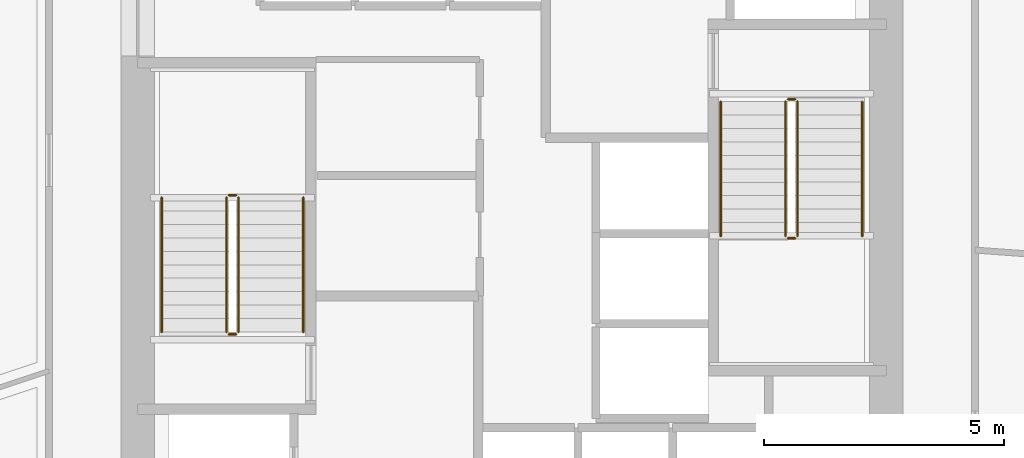
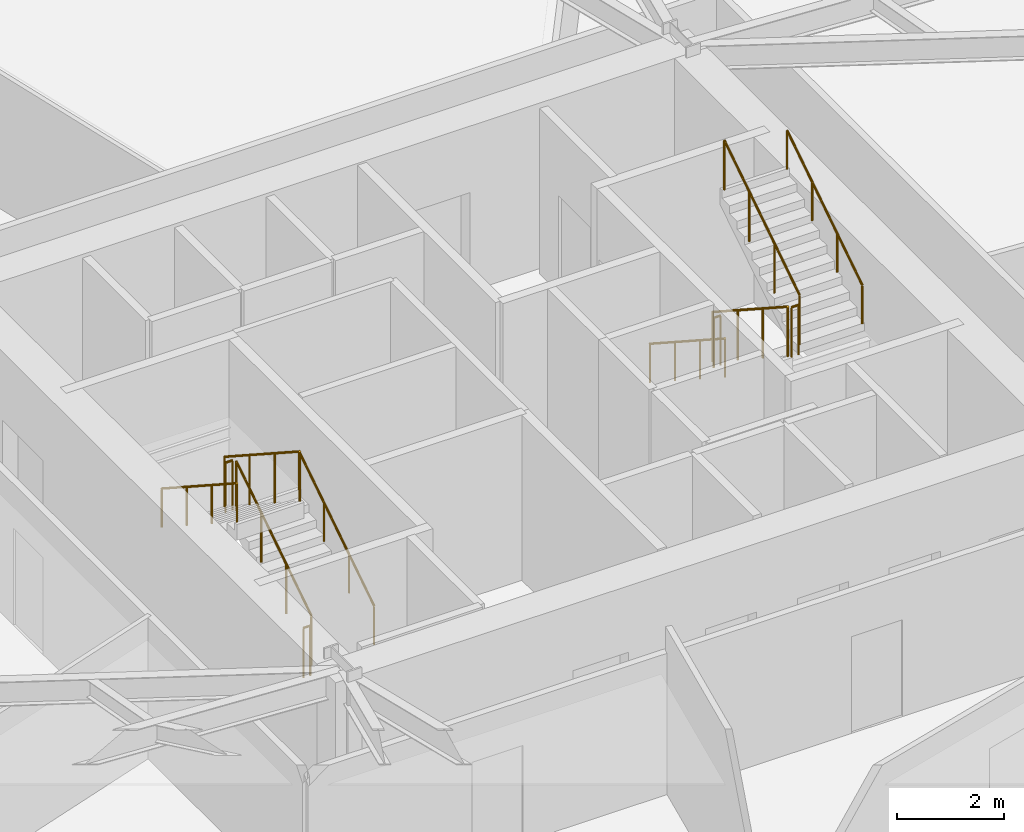
# One storey, part 9 of 10: 12 railings.
"""IFC4 building model written with IfcOpenShell, lengths in metres."""

import ifcopenshell
import ifcopenshell.guid

model = None  # the IFC model being written
_history = None  # IfcOwnerHistory: only IFC2X3 demands one
_inside = {}  # id of a spatial element -> (the spatial element, [elements in it])
_under = {}  # id of a project, library or spatial element -> (it, [spatial elements below it])
_declared = {}  # id of a project -> (the project, [libraries it declares])
_typed = {}  # id of a type object -> (the type object, [elements of that type])
_made_of = {}  # id of a material, layer set ... -> (it, [elements and type objects made of it])


def new_model(schema):
    """Start an empty IFC model of exactly this schema.

    Asked for "IFC4X3", IfcOpenShell would pick the latest addendum, in which some entities
    have other attributes; the version numbers below select the first issue.
    IFC2X3 requires an IfcOwnerHistory on every rooted entity: one is made here for all.
    """
    global model, _history
    if schema == "IFC4X3":
        model = ifcopenshell.file(schema_version=(4, 3, 0, 0))
    else:
        model = ifcopenshell.file(schema=schema)
    _inside.clear()
    _under.clear()
    _declared.clear()
    _typed.clear()
    _made_of.clear()
    _history = None
    if model.schema == "IFC2X3":
        org = make("IfcOrganization", Name="unknown")
        user = make(
            "IfcPersonAndOrganization",
            ThePerson=make("IfcPerson", FamilyName="unknown"),
            TheOrganization=org,
        )
        app = make(
            "IfcApplication",
            ApplicationDeveloper=org,
            Version="unknown",
            ApplicationFullName="unknown",
            ApplicationIdentifier="unknown",
        )
        _history = make(
            "IfcOwnerHistory",
            OwningUser=user,
            OwningApplication=app,
            ChangeAction="ADDED",
            CreationDate=0,
        )
    return model


def make(cls, **values):
    """One entity of the class cls with the attributes given. An attribute that is None is left unset."""
    return model.create_entity(
        cls, **{name: value for name, value in values.items() if value is not None}
    )


def rooted(cls, **values):
    """An entity with a GlobalId (a new one), such as an element, a storey or a relation."""
    return make(cls, GlobalId=ifcopenshell.guid.new(), OwnerHistory=_history, **values)


def si_unit(unit_type, name, prefix=None):
    """IfcSIUnit, for example si_unit("LENGTHUNIT", "METRE", prefix="MILLI")."""
    return make("IfcSIUnit", UnitType=unit_type, Prefix=prefix, Name=name)


def assignment(units):
    """IfcUnitAssignment: the units of a project."""
    return None if units is None else make("IfcUnitAssignment", Units=units)


def point(xyz):
    """IfcCartesianPoint."""
    return None if xyz is None else make("IfcCartesianPoint", Coordinates=xyz)


def direction(xyz):
    """IfcDirection."""
    return None if xyz is None else make("IfcDirection", DirectionRatios=xyz)


def frame(location, z_axis=None, x_axis=None):
    """IfcAxis2Placement3D, a coordinate frame: its origin and axes. An axis left out is left unset."""
    return make(
        "IfcAxis2Placement3D",
        Location=point(location),
        Axis=direction(z_axis),
        RefDirection=direction(x_axis),
    )


def frame_2d(location, x_axis=None):
    """IfcAxis2Placement2D, a coordinate frame in the plane: its origin and x axis."""
    return make(
        "IfcAxis2Placement2D", Location=point(location), RefDirection=direction(x_axis)
    )


def origin():
    """The frame at (0, 0, 0) with its axes left unset."""
    return frame((0.0, 0.0, 0.0))


def origin_2d():
    """The frame at (0, 0) in the plane with its x axis left unset."""
    return frame_2d((0.0, 0.0))


def place(relative_to, where):
    """IfcLocalPlacement: puts the frame where relative to a parent placement (None: the world)."""
    return make(
        "IfcLocalPlacement", PlacementRelTo=relative_to, RelativePlacement=where
    )


def context(
    kind, dimensions, precision=None, world=None, true_north=None, identifier=None
):
    """IfcGeometricRepresentationContext, for example the 3D "Model" context."""
    return make(
        "IfcGeometricRepresentationContext",
        ContextIdentifier=identifier,
        ContextType=kind,
        CoordinateSpaceDimension=dimensions,
        Precision=precision,
        WorldCoordinateSystem=world,
        TrueNorth=true_north,
    )


def subcontext(parent, identifier, kind, view, scale=None):
    """IfcGeometricRepresentationSubContext, for example "Body" below "Model"."""
    return make(
        "IfcGeometricRepresentationSubContext",
        ContextIdentifier=identifier,
        ContextType=kind,
        ParentContext=parent,
        TargetScale=scale,
        TargetView=view,
    )


def project(units=None, contexts=None):
    """IfcProject with its units and contexts."""
    return rooted(
        "IfcProject",
        Name="project",
        RepresentationContexts=contexts,
        UnitsInContext=assignment(units),
    )


def spatial(cls, under=None, at=None, **own):
    """A site, building, storey or space (cls), placed at a placement, below another one or the project."""
    s = rooted(cls, ObjectPlacement=at, **own)
    if under is not None:
        _under.setdefault(under.id(), (under, []))[1].append(s)
    return s


def profile(cls, at=None, kind="AREA", **sizes):
    """A parametric profile (cls). Its sizes go by their IFC names, for example OverallWidth=200.0."""
    return make(cls, ProfileType=kind, Position=at, **sizes)


def circle(**sizes):
    """IfcCircleProfileDef."""
    return profile("IfcCircleProfileDef", **sizes)


def extrude(swept, where, along, depth):
    """IfcExtrudedAreaSolid: the profile swept, set in the frame where, extruded along a direction by depth."""
    return make(
        "IfcExtrudedAreaSolid",
        SweptArea=swept,
        Position=where,
        ExtrudedDirection=direction(along),
        Depth=depth,
    )


def shape(context_of_items, identifier, shape_type, items):
    """IfcShapeRepresentation: the items that make up one representation, for example the "Body"."""
    return make(
        "IfcShapeRepresentation",
        ContextOfItems=context_of_items,
        RepresentationIdentifier=identifier,
        RepresentationType=shape_type,
        Items=items,
    )


def material(Name=None, Category=None):
    """IfcMaterial."""
    return make("IfcMaterial", Name=Name, Category=Category)


def made_of(thing, what):
    """Note that an element or type object is made of a material, layer set ...; save() writes the relation."""
    if what is not None:
        _made_of.setdefault(what.id(), (what, []))[1].append(thing)
    return thing


def type_object(cls, material=None, **own):
    """A type object (cls), such as IfcWallType, which elements share."""
    return made_of(rooted(cls, **own), material)


def element(
    cls,
    number,
    at=None,
    inside=None,
    cuts=None,
    type_object=None,
    material=None,
    context=None,
    identifier="Body",
    shape_type=None,
    held_by="IfcProductDefinitionShape",
    body=None,
    shapes=None,
    **own,
):
    """One element of the class cls, such as IfcWall. Its Tag is "e" and its number.

    at: its placement. inside: the storey or other place that contains it. cuts: it is an
    opening in that element (IfcRelVoidsElement). A single representation is given by context,
    identifier, shape_type and body (its items); several are given by shapes. held_by: the class
    of the entity that holds the representations. save() writes the other relations.
    """
    e = rooted(cls, Tag="e%d" % number, ObjectPlacement=at, **own)
    if body is not None:
        shapes = [shape(context, identifier, shape_type, body)]
    if shapes is not None:
        e.Representation = make(held_by, Representations=shapes)
    if inside is not None:
        _inside.setdefault(inside.id(), (inside, []))[1].append(e)
    if cuts is not None:
        rooted(
            "IfcRelVoidsElement", RelatingBuildingElement=cuts, RelatedOpeningElement=e
        )
    if type_object is not None:
        _typed.setdefault(type_object.id(), (type_object, []))[1].append(e)
    return made_of(e, material)


def aggregate(whole, parts):
    """IfcRelAggregates: a whole, such as a stair, and the parts it consists of."""
    return rooted("IfcRelAggregates", RelatingObject=whole, RelatedObjects=parts)


def save(model, path):
    """Write the relations noted so far, then the file.

    IfcRelAggregates (storeys below a building ...), IfcRelContainedInSpatialStructure (elements
    in a storey), IfcRelDefinesByType, IfcRelAssociatesMaterial and IfcRelDeclares: one each for
    every whole, place, type object, material and project.
    """
    for whole, parts in _under.values():
        aggregate(whole, parts)
    for where, things in _inside.values():
        rooted(
            "IfcRelContainedInSpatialStructure",
            RelatedElements=things,
            RelatingStructure=where,
        )
    for kind, things in _typed.values():
        rooted("IfcRelDefinesByType", RelatedObjects=things, RelatingType=kind)
    for what, things in _made_of.values():
        rooted("IfcRelAssociatesMaterial", RelatedObjects=things, RelatingMaterial=what)
    for by, libraries in _declared.values():
        rooted("IfcRelDeclares", RelatingContext=by, RelatedDefinitions=libraries)
    model.write(path)


model = new_model("IFC4")

# Units and contexts
model_context = context("Model", 3, precision=1e-05, world=origin(), true_north=direction((0.0, 1.0)))
body_context = subcontext(model_context, "Body", "Model", "MODEL_VIEW")
ifc_project = project(units=[si_unit("LENGTHUNIT", "METRE"), si_unit("AREAUNIT", "SQUARE_METRE"), si_unit("VOLUMEUNIT", "CUBIC_METRE"), si_unit("PLANEANGLEUNIT", "RADIAN"), si_unit("MASSUNIT", "GRAM", prefix="KILO")], contexts=[model_context])

# Site, building, storey
site_placement = place(None, origin())
site = spatial("IfcSite", under=ifc_project, at=site_placement, CompositionType="ELEMENT")
building_placement = place(site_placement, origin())
building = spatial("IfcBuilding", under=site, at=building_placement, Name="Kranzbogen Civic Tower", CompositionType="ELEMENT")
storey_placement = place(building_placement, frame((0.0, 0.0, 72.0)))
storey = spatial("IfcBuildingStorey", under=building, at=storey_placement, Name="L17", CompositionType="ELEMENT", Elevation=72.0)

# Railings
ifc_material_1 = material(Name="Steel S355", Category="steel")
railing_type_1 = type_object("IfcRailingType", Name="Internal Stair and Void Steel Guardrail 1150", PredefinedType="GUARDRAIL", material=ifc_material_1)
railing_1_placement = place(storey_placement, frame((19.300048828125, 22.60009765625, 0.181884765625)))
element("IfcRailing", 1, at=railing_1_placement, inside=storey, type_object=railing_type_1, Name="L17 ST-T1 stair guard 1", PredefinedType="GUARDRAIL", context=body_context, shape_type="SweptSolid", body=[
    extrude(circle(Radius=0.02392578125, at=origin_2d()), frame((0.0, 0.0, 1.1259765625), z_axis=(0.0, 0.83868413941, 0.544618136222), x_axis=(-1.0, 0.0, 0.0)), (0.0, 0.0, 1.0), 3.33837890625),
    extrude(circle(Radius=0.02099609375, at=origin_2d()), origin(), (0.0, 0.0, 1.0), 1.101806640625),
    extrude(circle(Radius=0.02099609375, at=origin_2d()), frame((0.0, 0.933349609375, 0.60595703125)), (0.0, 0.0, 1.0), 1.101806640625),
    extrude(circle(Radius=0.02099609375, at=origin_2d()), frame((0.0, 1.866455078125, 1.212158203125)), (0.0, 0.0, 1.0), 1.101806640625),
    extrude(circle(Radius=0.02099609375, at=origin_2d()), frame((0.0, 2.7998046875, 1.818115234375)), (0.0, 0.0, 1.0), 1.101806640625),
])
railing_2_placement = place(storey_placement, frame((19.25, 25.449951171875, 2.0)))
element("IfcRailing", 2, at=railing_2_placement, inside=storey, type_object=railing_type_1, Name="L17 ST-T1 stair guard 2", PredefinedType="GUARDRAIL", context=body_context, shape_type="SweptSolid", body=[
    extrude(circle(Radius=0.02392578125, at=origin_2d()), frame((0.0, 0.0, 1.1259765625), z_axis=(-1.0, 0.0, 0.0), x_axis=(0.0, -1.0, 0.0)), (0.0, 0.0, 1.0), 0.14990234375),
    extrude(circle(Radius=0.02099609375, at=origin_2d()), origin(), (0.0, 0.0, 1.0), 1.101806640625),
    extrude(circle(Radius=0.02099609375, at=origin_2d()), frame((-0.14990234375, 0.0, 0.0)), (0.0, 0.0, 1.0), 1.101806640625),
])
railing_3_placement = place(storey_placement, frame((19.050048828125, 25.39990234375, 2.181884765625)))
element("IfcRailing", 3, at=railing_3_placement, inside=storey, type_object=railing_type_1, Name="L17 ST-T1 stair guard 3", PredefinedType="GUARDRAIL", context=body_context, shape_type="SweptSolid", body=[
    extrude(circle(Radius=0.02392578125, at=origin_2d()), frame((0.0, 0.0, 1.1259765625), z_axis=(0.0, -0.83868413941, 0.544618136222), x_axis=(1.0, 0.0, 0.0)), (0.0, 0.0, 1.0), 3.33837890625),
    extrude(circle(Radius=0.02099609375, at=origin_2d()), origin(), (0.0, 0.0, 1.0), 1.101806640625),
    extrude(circle(Radius=0.02099609375, at=origin_2d()), frame((0.0, -0.933349609375, 0.60595703125)), (0.0, 0.0, 1.0), 1.101806640625),
    extrude(circle(Radius=0.02099609375, at=origin_2d()), frame((0.0, -1.866455078125, 1.212158203125)), (0.0, 0.0, 1.0), 1.101806640625),
    extrude(circle(Radius=0.02099609375, at=origin_2d()), frame((0.0, -2.7998046875, 1.818115234375)), (0.0, 0.0, 1.0), 1.101806640625),
])
railing_4_placement = place(storey_placement, frame((19.25, 22.550048828125, 0.0)))
element("IfcRailing", 4, at=railing_4_placement, inside=storey, type_object=railing_type_1, Name="L17 ST-T1 stair guard 4", PredefinedType="GUARDRAIL", context=body_context, shape_type="SweptSolid", body=[
    extrude(circle(Radius=0.02392578125, at=origin_2d()), frame((0.0, 0.0, 1.1259765625), z_axis=(-1.0, 0.0, 0.0), x_axis=(0.0, -1.0, 0.0)), (0.0, 0.0, 1.0), 0.14990234375),
    extrude(circle(Radius=0.02099609375, at=origin_2d()), origin(), (0.0, 0.0, 1.0), 1.101806640625),
    extrude(circle(Radius=0.02099609375, at=origin_2d()), frame((-0.14990234375, 0.0, 0.0)), (0.0, 0.0, 1.0), 1.101806640625),
])
railing_5_placement = place(storey_placement, frame((30.699951171875, 27.39990234375, 0.181884765625)))
element("IfcRailing", 5, at=railing_5_placement, inside=storey, type_object=railing_type_1, Name="L17 ST-T2 stair guard 1", PredefinedType="GUARDRAIL", context=body_context, shape_type="SweptSolid", body=[
    extrude(circle(Radius=0.02392578125, at=origin_2d()), frame((0.0, 0.0, 1.1259765625), z_axis=(0.0, -0.83868413941, 0.544618136222), x_axis=(1.0, 0.0, 0.0)), (0.0, 0.0, 1.0), 3.33837890625),
    extrude(circle(Radius=0.02099609375, at=origin_2d()), origin(), (0.0, 0.0, 1.0), 1.101806640625),
    extrude(circle(Radius=0.02099609375, at=origin_2d()), frame((0.0, -0.933349609375, 0.60595703125)), (0.0, 0.0, 1.0), 1.101806640625),
    extrude(circle(Radius=0.02099609375, at=origin_2d()), frame((0.0, -1.866455078125, 1.212158203125)), (0.0, 0.0, 1.0), 1.101806640625),
    extrude(circle(Radius=0.02099609375, at=origin_2d()), frame((0.0, -2.7998046875, 1.818115234375)), (0.0, 0.0, 1.0), 1.101806640625),
])
railing_6_placement = place(storey_placement, frame((30.75, 24.550048828125, 2.0)))
element("IfcRailing", 6, at=railing_6_placement, inside=storey, type_object=railing_type_1, Name="L17 ST-T2 stair guard 2", PredefinedType="GUARDRAIL", context=body_context, shape_type="SweptSolid", body=[
    extrude(circle(Radius=0.02392578125, at=origin_2d()), frame((0.0, 0.0, 1.1259765625), z_axis=(1.0, 0.0, 0.0), x_axis=(0.0, 1.0, 0.0)), (0.0, 0.0, 1.0), 0.14990234375),
    extrude(circle(Radius=0.02099609375, at=origin_2d()), origin(), (0.0, 0.0, 1.0), 1.101806640625),
    extrude(circle(Radius=0.02099609375, at=origin_2d()), frame((0.14990234375, 0.0, 0.0)), (0.0, 0.0, 1.0), 1.101806640625),
])
railing_7_placement = place(storey_placement, frame((30.949951171875, 24.60009765625, 2.181884765625)))
element("IfcRailing", 7, at=railing_7_placement, inside=storey, type_object=railing_type_1, Name="L17 ST-T2 stair guard 3", PredefinedType="GUARDRAIL", context=body_context, shape_type="SweptSolid", body=[
    extrude(circle(Radius=0.02392578125, at=origin_2d()), frame((0.0, 0.0, 1.1259765625), z_axis=(0.0, 0.83868413941, 0.544618136222), x_axis=(-1.0, 0.0, 0.0)), (0.0, 0.0, 1.0), 3.33837890625),
    extrude(circle(Radius=0.02099609375, at=origin_2d()), origin(), (0.0, 0.0, 1.0), 1.101806640625),
    extrude(circle(Radius=0.02099609375, at=origin_2d()), frame((0.0, 0.933349609375, 0.60595703125)), (0.0, 0.0, 1.0), 1.101806640625),
    extrude(circle(Radius=0.02099609375, at=origin_2d()), frame((0.0, 1.866455078125, 1.212158203125)), (0.0, 0.0, 1.0), 1.101806640625),
    extrude(circle(Radius=0.02099609375, at=origin_2d()), frame((0.0, 2.7998046875, 1.818115234375)), (0.0, 0.0, 1.0), 1.101806640625),
])
railing_8_placement = place(storey_placement, frame((30.75, 27.449951171875, 0.0)))
element("IfcRailing", 8, at=railing_8_placement, inside=storey, type_object=railing_type_1, Name="L17 ST-T2 stair guard 4", PredefinedType="GUARDRAIL", context=body_context, shape_type="SweptSolid", body=[
    extrude(circle(Radius=0.02392578125, at=origin_2d()), frame((0.0, 0.0, 1.1259765625), z_axis=(1.0, 0.0, 0.0), x_axis=(0.0, 1.0, 0.0)), (0.0, 0.0, 1.0), 0.14990234375),
    extrude(circle(Radius=0.02099609375, at=origin_2d()), origin(), (0.0, 0.0, 1.0), 1.101806640625),
    extrude(circle(Radius=0.02099609375, at=origin_2d()), frame((0.14990234375, 0.0, 0.0)), (0.0, 0.0, 1.0), 1.101806640625),
])
ifc_material_2 = material(Name="Pale Anodised Aluminium", Category="aluminium")
railing_type_2 = type_object("IfcRailingType", Name="Tubular Stainless Stair Wall Handrail 900", PredefinedType="HANDRAIL", material=ifc_material_2)
railing_9_placement = place(storey_placement, frame((20.64990234375, 22.60009765625, 0.181884765625)))
element("IfcRailing", 9, at=railing_9_placement, inside=storey, type_object=railing_type_2, Name="L17 ST-T1 stair handrail 1", PredefinedType="HANDRAIL", context=body_context, shape_type="SweptSolid", body=[
    extrude(circle(Radius=0.02392578125, at=origin_2d()), frame((0.0, 0.0, 0.8759765625), z_axis=(0.0, 0.83868413941, 0.544618136222), x_axis=(-1.0, 0.0, 0.0)), (0.0, 0.0, 1.0), 3.33837890625),
    extrude(circle(Radius=0.02099609375, at=origin_2d()), origin(), (0.0, 0.0, 1.0), 0.851806640625),
    extrude(circle(Radius=0.02099609375, at=origin_2d()), frame((0.0, 0.933349609375, 0.60595703125)), (0.0, 0.0, 1.0), 0.851806640625),
    extrude(circle(Radius=0.02099609375, at=origin_2d()), frame((0.0, 1.866455078125, 1.212158203125)), (0.0, 0.0, 1.0), 0.851806640625),
    extrude(circle(Radius=0.02099609375, at=origin_2d()), frame((0.0, 2.7998046875, 1.818115234375)), (0.0, 0.0, 1.0), 0.851806640625),
])
for number, where, name in (
    (10, (17.699951171875, 25.39990234375, 2.181884765625), "L17 ST-T1 stair handrail 2"),
    (11, (29.35009765625, 27.39990234375, 0.181884765625), "L17 ST-T2 stair handrail 1"),
):
    element("IfcRailing", number, at=place(storey_placement, frame(where)), inside=storey, type_object=railing_type_2, Name=name, PredefinedType="HANDRAIL", context=body_context, shape_type="SweptSolid", body=[
        extrude(circle(Radius=0.02392578125, at=origin_2d()), frame((0.0, 0.0, 0.8759765625), z_axis=(0.0, -0.83868413941, 0.544618136222), x_axis=(1.0, 0.0, 0.0)), (0.0, 0.0, 1.0), 3.33837890625),
        extrude(circle(Radius=0.02099609375, at=origin_2d()), origin(), (0.0, 0.0, 1.0), 0.851806640625),
        extrude(circle(Radius=0.02099609375, at=origin_2d()), frame((0.0, -0.933349609375, 0.60595703125)), (0.0, 0.0, 1.0), 0.851806640625),
        extrude(circle(Radius=0.02099609375, at=origin_2d()), frame((0.0, -1.866455078125, 1.212158203125)), (0.0, 0.0, 1.0), 0.851806640625),
        extrude(circle(Radius=0.02099609375, at=origin_2d()), frame((0.0, -2.7998046875, 1.818115234375)), (0.0, 0.0, 1.0), 0.851806640625),
    ])
railing_10_placement = place(storey_placement, frame((32.300048828125, 24.60009765625, 2.181884765625)))
element("IfcRailing", 12, at=railing_10_placement, inside=storey, type_object=railing_type_2, Name="L17 ST-T2 stair handrail 2", PredefinedType="HANDRAIL", context=body_context, shape_type="SweptSolid", body=[
    extrude(circle(Radius=0.02392578125, at=origin_2d()), frame((0.0, 0.0, 0.8759765625), z_axis=(0.0, 0.83868413941, 0.544618136222), x_axis=(-1.0, 0.0, 0.0)), (0.0, 0.0, 1.0), 3.33837890625),
    extrude(circle(Radius=0.02099609375, at=origin_2d()), origin(), (0.0, 0.0, 1.0), 0.851806640625),
    extrude(circle(Radius=0.02099609375, at=origin_2d()), frame((0.0, 0.933349609375, 0.60595703125)), (0.0, 0.0, 1.0), 0.851806640625),
    extrude(circle(Radius=0.02099609375, at=origin_2d()), frame((0.0, 1.866455078125, 1.212158203125)), (0.0, 0.0, 1.0), 0.851806640625),
    extrude(circle(Radius=0.02099609375, at=origin_2d()), frame((0.0, 2.7998046875, 1.818115234375)), (0.0, 0.0, 1.0), 0.851806640625),
])

save(model, "model.ifc")
